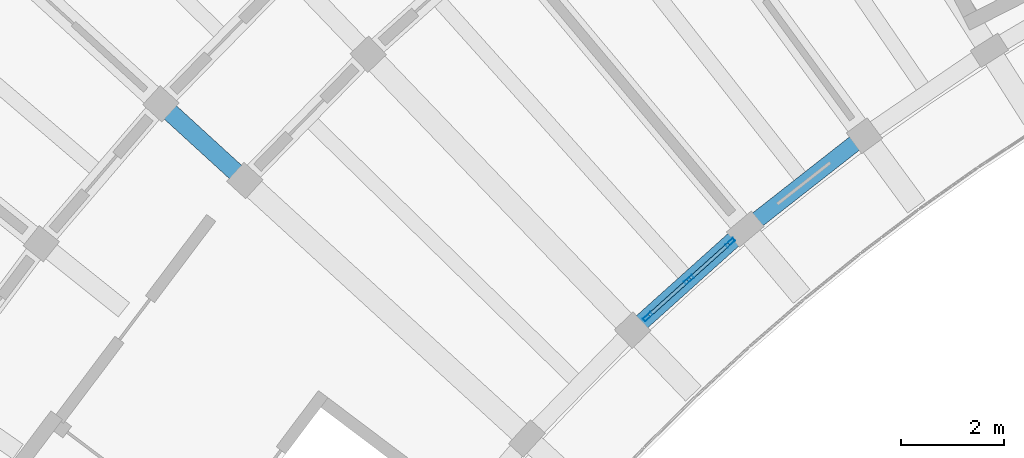
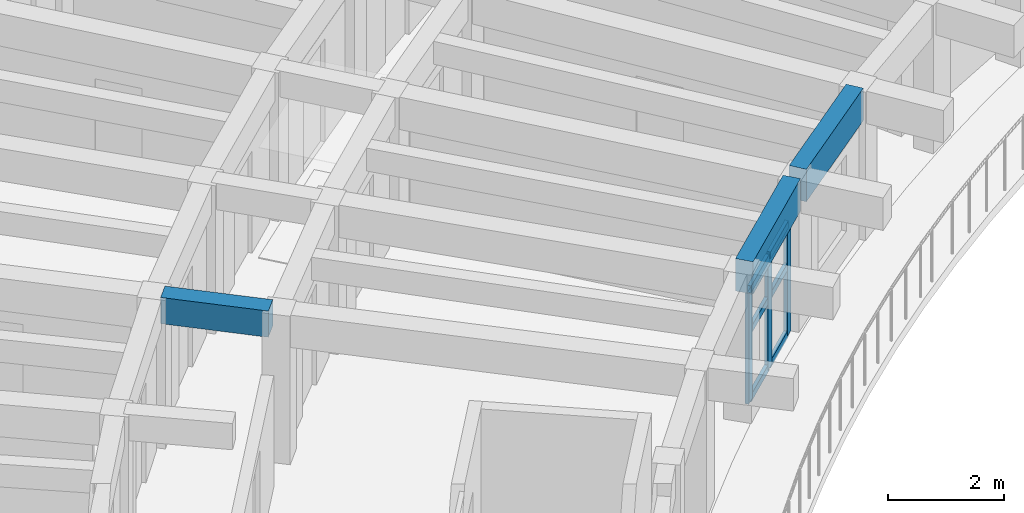
# One storey, part 7 of 56: 9 members, 3 beams, 1 element without a shape of its own.
"""IFC4 building model written with IfcOpenShell, lengths in metres."""

from ifc_helpers import new_model, si_unit, direction, frame, origin, origin_2d, place, context, subcontext, project, spatial, rectangle, hollow_rectangle, extrude, material, material_profile, profile_set, type_object, element, aggregate, save


model = new_model("IFC4")

# Units and contexts
model_context = context("Model", 3, precision=1e-05, world=origin(), true_north=direction((0.0, 1.0)))
body_context = subcontext(model_context, "Body", "Model", "MODEL_VIEW")
ifc_project = project(units=[si_unit("LENGTHUNIT", "METRE"), si_unit("AREAUNIT", "SQUARE_METRE"), si_unit("VOLUMEUNIT", "CUBIC_METRE"), si_unit("PLANEANGLEUNIT", "RADIAN"), si_unit("MASSUNIT", "GRAM", prefix="KILO")], contexts=[model_context])

# Site, building, storey
site_placement = place(None, origin())
site = spatial("IfcSite", under=ifc_project, at=site_placement, CompositionType="ELEMENT")
building_placement = place(site_placement, origin())
building = spatial("IfcBuilding", under=site, at=building_placement, Name="Tanwirah Colonnade Gardens", CompositionType="ELEMENT")
storey_placement = place(building_placement, frame((0.0, 0.0, 29.0)))
storey = spatial("IfcBuildingStorey", under=building, at=storey_placement, Name="L08", CompositionType="ELEMENT", Elevation=29.0)

# Beam
ifc_material_1 = material(Name="Precast concrete C40/50", Category="concrete")
ifc_material_profile_1 = material_profile(ifc_material_1, rectangle(XDim=0.35009765625, YDim=0.550048828125, at=origin_2d()), Name="PC-BM 350x550")
ifc_profile_set_1 = profile_set([ifc_material_profile_1], Name="Precast concrete C40/50")
beam_type_1 = type_object("IfcBeamType", Name="BM-PC350A", PredefinedType="BEAM", material=ifc_profile_set_1)
beam_placement = place(storey_placement, frame((26.62744140625, 95.29345703125, 2.840087890625), z_axis=(-0.737948361517, 0.674857181732, 0.0), x_axis=(-0.674857181732, -0.737948361517, 0.0)))
element("IfcBeam", 1, at=beam_placement, inside=storey, type_object=beam_type_1, Name="Block A L08 Corridor Tie Beam 11", PredefinedType="BEAM", context=body_context, shape_type="SweptSolid", body=[
    extrude(rectangle(XDim=0.35009765625, YDim=0.550048828125, at=origin_2d()), origin(), (0.0, 0.0, 1.0), 1.89990234375),
])

# Curtain wall, members
ifc_material_2 = material(Name="Bronze-anodised aluminium and solar-control low-E glass", Category="aluminium")
curtain_wall_type = type_object("IfcCurtainWallType", Name="CW-GDN", PredefinedType="NOTDEFINED", material=ifc_material_2)
curtain_wall_placement = place(storey_placement, origin())
curtain_wall = element("IfcCurtainWall", 2, at=curtain_wall_placement, inside=storey, type_object=curtain_wall_type, Name="Curtain Wall CW-A-L08-IN-09", PredefinedType="NOTDEFINED")
ifc_material_3 = material(Name="Bronze-anodised aluminium", Category="aluminium")
ifc_material_profile_2 = material_profile(ifc_material_3, hollow_rectangle(XDim=0.070068359375, YDim=0.199951171875, WallThickness=0.00390625, at=origin_2d()), Name="CW-MUL 70x200x4")
ifc_profile_set_2 = profile_set([ifc_material_profile_2], Name="Bronze-anodised aluminium")
member_type_1 = type_object("IfcMemberType", Name="CWM-70x200", PredefinedType="MULLION", material=ifc_profile_set_2)
member_1_placement = place(storey_placement, frame((36.134033203125, 93.987060546875, 0.0), z_axis=(0.0, 0.0, 1.0), x_axis=(0.667689182798, -0.744440162253, 0.0)))
member_1 = element("IfcMember", 3, at=member_1_placement, type_object=member_type_1, Name="CW-GDN mullion 1", PredefinedType="MULLION", context=body_context, shape_type="SweptSolid", body=[
    extrude(hollow_rectangle(XDim=0.070068359375, YDim=0.199951171875, WallThickness=0.00390625, at=origin_2d()), origin(), (0.0, 0.0, 1.0), 2.35498046875),
])
member_2_placement = place(storey_placement, frame((35.33740234375, 93.2724609375, 0.0), z_axis=(0.0, 0.0, 1.0), x_axis=(0.667689182798, -0.744440162253, 0.0)))
member_2 = element("IfcMember", 4, at=member_2_placement, type_object=member_type_1, Name="CW-GDN mullion 2", PredefinedType="MULLION", context=body_context, shape_type="SweptSolid", body=[
    extrude(hollow_rectangle(XDim=0.070068359375, YDim=0.199951171875, WallThickness=0.00390625, at=origin_2d()), origin(), (0.0, 0.0, 1.0), 2.35498046875),
])
member_3_placement = place(storey_placement, frame((34.540771484375, 92.557861328125, 0.0), z_axis=(0.0, 0.0, 1.0), x_axis=(0.667689182798, -0.744440162253, 0.0)))
member_3 = element("IfcMember", 5, at=member_3_placement, type_object=member_type_1, Name="CW-GDN mullion 3", PredefinedType="MULLION", context=body_context, shape_type="SweptSolid", body=[
    extrude(hollow_rectangle(XDim=0.070068359375, YDim=0.199951171875, WallThickness=0.00390625, at=origin_2d()), origin(), (0.0, 0.0, 1.0), 2.35498046875),
])
ifc_material_profile_3 = material_profile(ifc_material_3, hollow_rectangle(XDim=0.070068359375, YDim=0.14990234375, WallThickness=0.00390625, at=origin_2d()), Name="CW-TRN 70x150x4")
ifc_profile_set_3 = profile_set([ifc_material_profile_3], Name="Bronze-anodised aluminium")
member_type_2 = type_object("IfcMemberType", Name="CWT-70x150", PredefinedType="USERDEFINED", material=ifc_profile_set_3)
member_4_placement = place(storey_placement, frame((36.10791015625, 93.963623046875, 0.034912109375), z_axis=(-0.744397854763, -0.667736350534, 0.0), x_axis=(0.667736350534, -0.744397854763, 0.0)))
member_4 = element("IfcMember", 6, at=member_4_placement, type_object=member_type_2, Name="CW-GDN transom 1.1", ObjectType="TRANSOM", PredefinedType="USERDEFINED", context=body_context, shape_type="SweptSolid", body=[
    extrude(hollow_rectangle(XDim=0.070068359375, YDim=0.14990234375, WallThickness=0.00390625, at=origin_2d()), origin(), (0.0, 0.0, 1.0), 1.0),
])
member_5_placement = place(storey_placement, frame((36.10791015625, 93.963623046875, 1.460205078125), z_axis=(-0.744397854763, -0.667736350534, 0.0), x_axis=(0.667736350534, -0.744397854763, 0.0)))
member_5 = element("IfcMember", 7, at=member_5_placement, type_object=member_type_2, Name="CW-GDN transom 1.2", ObjectType="TRANSOM", PredefinedType="USERDEFINED", context=body_context, shape_type="SweptSolid", body=[
    extrude(hollow_rectangle(XDim=0.070068359375, YDim=0.14990234375, WallThickness=0.00390625, at=origin_2d()), origin(), (0.0, 0.0, 1.0), 1.0),
])
member_6_placement = place(storey_placement, frame((36.10791015625, 93.963623046875, 2.320068359375), z_axis=(-0.744397854763, -0.667736350534, 0.0), x_axis=(0.667736350534, -0.744397854763, 0.0)))
member_6 = element("IfcMember", 8, at=member_6_placement, type_object=member_type_2, Name="CW-GDN transom 1.3", ObjectType="TRANSOM", PredefinedType="USERDEFINED", context=body_context, shape_type="SweptSolid", body=[
    extrude(hollow_rectangle(XDim=0.070068359375, YDim=0.14990234375, WallThickness=0.00390625, at=origin_2d()), origin(), (0.0, 0.0, 1.0), 1.0),
])
member_7_placement = place(storey_placement, frame((35.311279296875, 93.2490234375, 0.034912109375), z_axis=(-0.744397854763, -0.667736350534, 0.0), x_axis=(0.667736350534, -0.744397854763, 0.0)))
member_7 = element("IfcMember", 9, at=member_7_placement, type_object=member_type_2, Name="CW-GDN transom 2.1", ObjectType="TRANSOM", PredefinedType="USERDEFINED", context=body_context, shape_type="SweptSolid", body=[
    extrude(hollow_rectangle(XDim=0.070068359375, YDim=0.14990234375, WallThickness=0.00390625, at=origin_2d()), origin(), (0.0, 0.0, 1.0), 1.0),
])
member_8_placement = place(storey_placement, frame((35.311279296875, 93.2490234375, 1.460205078125), z_axis=(-0.744397854763, -0.667736350534, 0.0), x_axis=(0.667736350534, -0.744397854763, 0.0)))
member_8 = element("IfcMember", 10, at=member_8_placement, type_object=member_type_2, Name="CW-GDN transom 2.2", ObjectType="TRANSOM", PredefinedType="USERDEFINED", context=body_context, shape_type="SweptSolid", body=[
    extrude(hollow_rectangle(XDim=0.070068359375, YDim=0.14990234375, WallThickness=0.00390625, at=origin_2d()), origin(), (0.0, 0.0, 1.0), 1.0),
])
member_9_placement = place(storey_placement, frame((35.311279296875, 93.2490234375, 2.320068359375), z_axis=(-0.744397854763, -0.667736350534, 0.0), x_axis=(0.667736350534, -0.744397854763, 0.0)))
member_9 = element("IfcMember", 11, at=member_9_placement, type_object=member_type_2, Name="CW-GDN transom 2.3", ObjectType="TRANSOM", PredefinedType="USERDEFINED", context=body_context, shape_type="SweptSolid", body=[
    extrude(hollow_rectangle(XDim=0.070068359375, YDim=0.14990234375, WallThickness=0.00390625, at=origin_2d()), origin(), (0.0, 0.0, 1.0), 1.0),
])
aggregate(curtain_wall, [member_1, member_2, member_3, member_4, member_5, member_6, member_7, member_8, member_9])

# Beams
ifc_material_4 = material(Name="Precast concrete C45/55", Category="concrete")
ifc_material_profile_4 = material_profile(ifc_material_4, rectangle(XDim=0.320068359375, YDim=0.679931640625, at=origin_2d()), Name="PC-SP 320x680")
ifc_profile_set_4 = profile_set([ifc_material_profile_4], Name="Precast concrete C45/55")
beam_type_2 = type_object("IfcBeamType", Name="SP-PC320", PredefinedType="SPANDREL", material=ifc_profile_set_4)
for number, where, z_axis, x_axis, name in (
    (12, (38.61572265625, 95.966552734375, 2.77490234375), (-0.786836625031, -0.617161344795, 0.0), (0.617161344795, -0.786836625031, 0.0), "Block A L08 Circumferential Beam 8-R0"),
    (13, (36.31640625, 94.150634765625, 2.77490234375), (-0.744400790288, -0.667733077972, 0.0), (0.667733077972, -0.744400790288, 0.0), "Block A L08 Circumferential Beam 9-R0"),
):
    element("IfcBeam", number, at=place(storey_placement, frame(where, z_axis=z_axis, x_axis=x_axis)), inside=storey, type_object=beam_type_2, Name=name, PredefinedType="SPANDREL", context=body_context, shape_type="SweptSolid", body=[
        extrude(rectangle(XDim=0.320068359375, YDim=0.679931640625, at=origin_2d()), origin(), (0.0, 0.0, 1.0), 2.63037109375),
    ])

save(model, "model.ifc")
